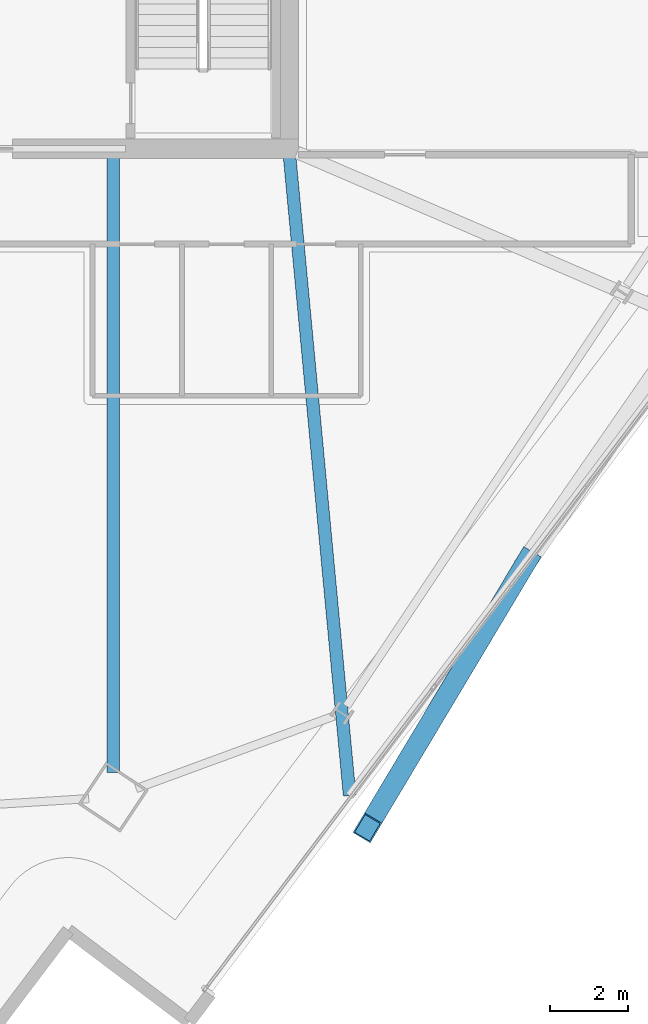
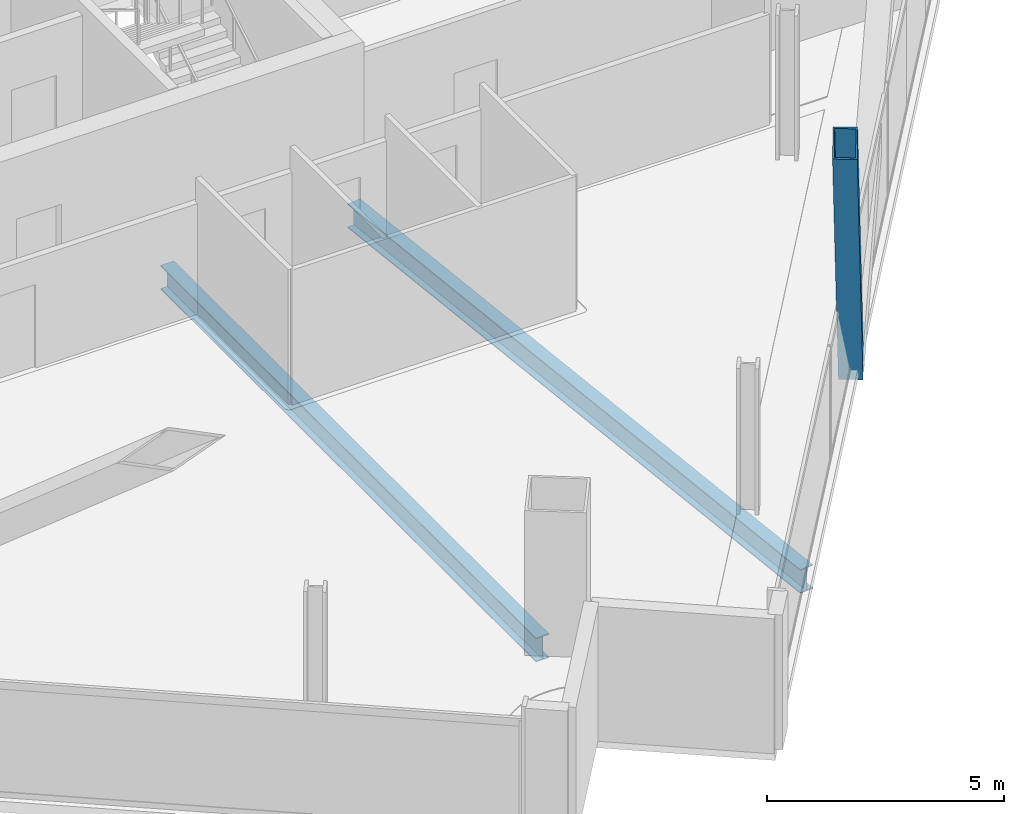
# One storey, part 10 of 34: 2 beams, 1 member.
"""IFC4 building model written with IfcOpenShell, lengths in metres."""

from ifc_helpers import new_model, si_unit, direction, frame, origin, origin_2d, place, context, subcontext, project, spatial, hollow_rectangle, i_section, extrude, material, material_profile, profile_set, type_object, element, save


model = new_model("IFC4")

# Units and contexts
model_context = context("Model", 3, precision=1e-05, world=origin(), true_north=direction((0.0, 1.0)))
body_context = subcontext(model_context, "Body", "Model", "MODEL_VIEW")
ifc_project = project(units=[si_unit("LENGTHUNIT", "METRE"), si_unit("AREAUNIT", "SQUARE_METRE"), si_unit("VOLUMEUNIT", "CUBIC_METRE"), si_unit("PLANEANGLEUNIT", "RADIAN"), si_unit("MASSUNIT", "GRAM", prefix="KILO")], contexts=[model_context])

# Site, building, storey
site_placement = place(None, origin())
site = spatial("IfcSite", under=ifc_project, at=site_placement, CompositionType="ELEMENT")
building_placement = place(site_placement, origin())
building = spatial("IfcBuilding", under=site, at=building_placement, Name="Haldenkirk Collegiate Tower", CompositionType="ELEMENT")
storey_placement = place(building_placement, frame((0.0, 0.0, 205.949951171875)))
storey = spatial("IfcBuildingStorey", under=building, at=storey_placement, Name="L51", CompositionType="ELEMENT", Elevation=205.949951171875)

# Beams
ifc_material_1 = material(Name="Steel ASTM A992 Grade 50", Category="steel")
ifc_material_profile_1 = material_profile(ifc_material_1, i_section(OverallWidth=0.324951171875, OverallDepth=0.615966796875, WebThickness=0.013916015625, FlangeThickness=0.021484375, at=origin_2d()), Name="W24X117")
ifc_profile_set_1 = profile_set([ifc_material_profile_1], Name="Steel ASTM A992 Grade 50")
beam_type = type_object("IfcBeamType", Name="BM-GIRDER-W24X117", PredefinedType="BEAM", material=ifc_profile_set_1)
beam_1_placement = place(storey_placement, frame((40.482666015625, 1.962890625, -0.587890625), z_axis=(0.0, 1.0, 0.0), x_axis=(-1.0, 0.0, 0.0)))
element("IfcBeam", 1, at=beam_1_placement, inside=storey, type_object=beam_type, Name="L51 primary floor girder 01", PredefinedType="BEAM", context=body_context, shape_type="SweptSolid", body=[
    extrude(i_section(OverallWidth=0.324951171875, OverallDepth=0.615966796875, WebThickness=0.013916015625, FlangeThickness=0.021484375, at=origin_2d()), origin(), (0.0, 0.0, 1.0), 15.80712890625),
])
beam_2_placement = place(storey_placement, frame((46.56201171875, 1.371826171875, -0.587890625), z_axis=(-0.093527583432, 0.99561668886, 0.0), x_axis=(-0.99561668886, -0.093527583432, 0.0)))
element("IfcBeam", 2, at=beam_2_placement, inside=storey, type_object=beam_type, Name="L51 primary floor girder 05", PredefinedType="BEAM", context=body_context, shape_type="SweptSolid", body=[
    extrude(i_section(OverallWidth=0.324951171875, OverallDepth=0.615966796875, WebThickness=0.013916015625, FlangeThickness=0.021484375, at=origin_2d()), origin(), (0.0, 0.0, 1.0), 16.471435546875),
])

# Member
ifc_material_2 = material(Name="Steel ASTM A572 Grade 50", Category="steel")
ifc_material_profile_2 = material_profile(ifc_material_2, hollow_rectangle(XDim=0.52001953125, YDim=0.719970703125, WallThickness=0.035888671875, at=origin_2d()), Name="BOX720X520X36")
ifc_profile_set_2 = profile_set([ifc_material_profile_2], Name="Steel ASTM A572 Grade 50")
member_type = type_object("IfcMemberType", Name="MBR-MEGABRACE-BOX720X520X36", PredefinedType="BRACE", material=ifc_profile_set_2)
member_placement = place(storey_placement, frame((51.112060546875, 7.387939453125, -0.2900390625), z_axis=(-0.296758860153, -0.496451035929, 0.815763781892), x_axis=(0.858339782204, -0.513081687732, 0.0)))
element("IfcMember", 3, at=member_placement, inside=storey, type_object=member_type, Name="Perimeter Mega Brace Z4 L51-L53 SL", PredefinedType="BRACE", context=body_context, shape_type="SweptSolid", body=[
    extrude(hollow_rectangle(XDim=0.52001953125, YDim=0.719970703125, WallThickness=0.035888671875, at=origin_2d()), origin(), (0.0, 0.0, 1.0), 13.790771484375),
])

save(model, "model.ifc")
